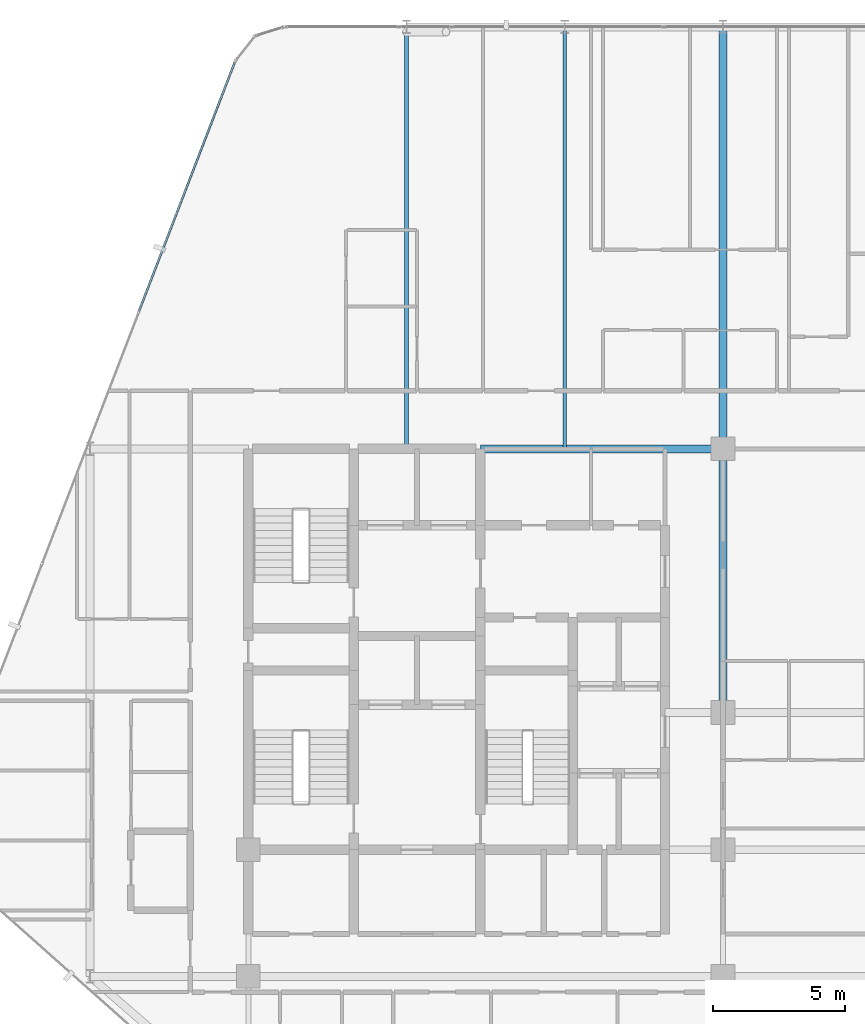
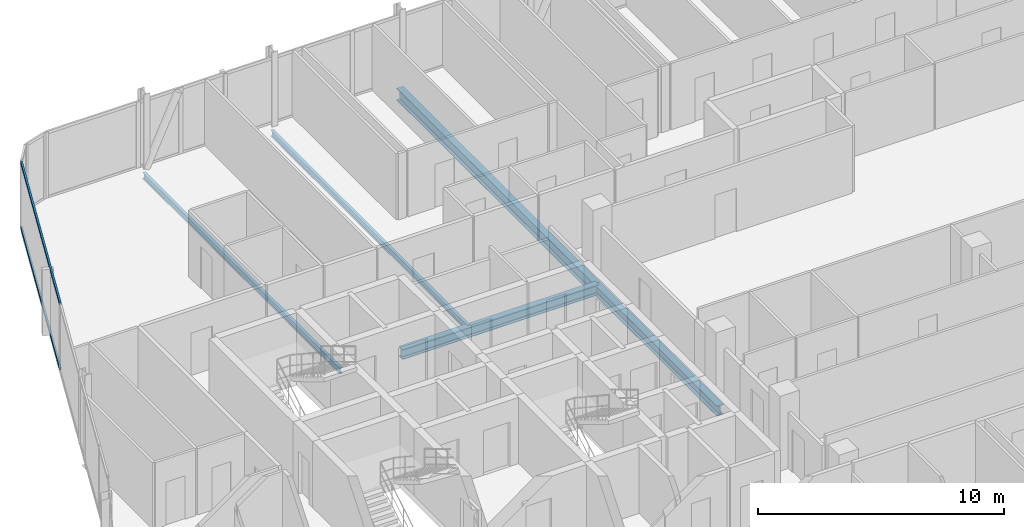
# One storey, part 16 of 31: 5 beams, 2 members, 1 element without a shape of its own.
"""IFC4 building model written with IfcOpenShell, lengths in metres."""

from ifc_helpers import new_model, si_unit, direction, frame, origin, origin_2d, place, context, subcontext, project, spatial, hollow_rectangle, i_section, extrude, material, layer, layer_set, material_profile, profile_set, type_object, element, aggregate, save


model = new_model("IFC4")

# Units and contexts
model_context = context("Model", 3, precision=1e-05, world=origin(), true_north=direction((0.0, 1.0)))
body_context = subcontext(model_context, "Body", "Model", "MODEL_VIEW")
ifc_project = project(units=[si_unit("LENGTHUNIT", "METRE"), si_unit("AREAUNIT", "SQUARE_METRE"), si_unit("VOLUMEUNIT", "CUBIC_METRE"), si_unit("PLANEANGLEUNIT", "RADIAN"), si_unit("MASSUNIT", "GRAM", prefix="KILO")], contexts=[model_context])

# Site, building, storey
site_placement = place(None, origin())
site = spatial("IfcSite", under=ifc_project, at=site_placement, CompositionType="ELEMENT")
building_placement = place(site_placement, origin())
building = spatial("IfcBuilding", under=site, at=building_placement, Name="Keshet Zoharim Tower", CompositionType="ELEMENT")
storey_placement = place(building_placement, frame((0.0, 0.0, 155.699951171875)))
storey = spatial("IfcBuildingStorey", under=building, at=storey_placement, Name="L38", CompositionType="ELEMENT", Elevation=155.699951171875)

# Beams
ifc_material_1 = material(Name="Steel S355", Category="steel")
ifc_material_profile_1 = material_profile(ifc_material_1, i_section(OverallWidth=0.14990234375, OverallDepth=0.300048828125, WebThickness=0.007080078125, FlangeThickness=0.0107421875, FilletRadius=0.014892578125, at=origin_2d()), Name="IPE300")
ifc_profile_set_1 = profile_set([ifc_material_profile_1], Name="Steel S355")
beam_type_1 = type_object("IfcBeamType", Name="BM-JST-IP300", PredefinedType="JOIST", material=ifc_profile_set_1)
for number, where, z_axis, x_axis, name in (
    (1, (21.0, 37.89990234375, -0.46484375), (0.0, 1.0, 0.0), (-1.0, 0.0, 0.0), "L38 Secondary Floor Joist J-001"),
    (2, (27.0, 37.89990234375, -0.46484375), (0.0, 1.0, 0.0), (-1.0, 0.0, 0.0), "L38 Secondary Floor Joist J-002"),
):
    element("IfcBeam", number, at=place(storey_placement, frame(where, z_axis=z_axis, x_axis=x_axis)), inside=storey, type_object=beam_type_1, Name=name, PredefinedType="JOIST", context=body_context, shape_type="SweptSolid", body=[
        extrude(i_section(OverallWidth=0.14990234375, OverallDepth=0.300048828125, WebThickness=0.007080078125, FlangeThickness=0.0107421875, FilletRadius=0.014892578125, at=origin_2d()), origin(), (0.0, 0.0, 1.0), 16.0),
    ])
ifc_material_profile_2 = material_profile(ifc_material_1, i_section(OverallWidth=0.300048828125, OverallDepth=0.60009765625, WebThickness=0.015380859375, FlangeThickness=0.030029296875, FilletRadius=0.027099609375, at=origin_2d()), Name="HEB600")
ifc_profile_set_2 = profile_set([ifc_material_profile_2], Name="Steel S355")
beam_type_2 = type_object("IfcBeamType", Name="BM-LNG-HB600", PredefinedType="BEAM", material=ifc_profile_set_2)
beam_1_placement = place(storey_placement, frame((33.0, 37.89990234375, -0.614990234375), z_axis=(0.0, 1.0, 0.0), x_axis=(-1.0, 0.0, 0.0)))
element("IfcBeam", 3, at=beam_1_placement, inside=storey, type_object=beam_type_2, Name="L38 Primary Girder Y-011", PredefinedType="BEAM", context=body_context, shape_type="SweptSolid", body=[
    extrude(i_section(OverallWidth=0.300048828125, OverallDepth=0.60009765625, WebThickness=0.015380859375, FlangeThickness=0.030029296875, FilletRadius=0.027099609375, at=origin_2d()), origin(), (0.0, 0.0, 1.0), 16.0),
])
ifc_material_profile_3 = material_profile(ifc_material_1, i_section(OverallWidth=0.300048828125, OverallDepth=0.5, WebThickness=0.014404296875, FlangeThickness=0.028076171875, FilletRadius=0.027099609375, at=origin_2d()), Name="HEB500")
ifc_profile_set_3 = profile_set([ifc_material_profile_3], Name="Steel S355")
beam_type_3 = type_object("IfcBeamType", Name="BM-MED-HB500", PredefinedType="BEAM", material=ifc_profile_set_3)
beam_2_placement = place(storey_placement, frame((23.800048828125, 37.89990234375, -0.56494140625), z_axis=(1.0, 0.0, 0.0), x_axis=(0.0, 1.0, 0.0)))
element("IfcBeam", 4, at=beam_2_placement, inside=storey, type_object=beam_type_3, Name="L38 Primary Girder X-019", PredefinedType="BEAM", context=body_context, shape_type="SweptSolid", body=[
    extrude(i_section(OverallWidth=0.300048828125, OverallDepth=0.5, WebThickness=0.014404296875, FlangeThickness=0.028076171875, FilletRadius=0.027099609375, at=origin_2d()), origin(), (0.0, 0.0, 1.0), 9.199951171875),
])
beam_3_placement = place(storey_placement, frame((33.0, 27.89990234375, -0.56494140625), z_axis=(0.0, 1.0, 0.0), x_axis=(-1.0, 0.0, 0.0)))
element("IfcBeam", 5, at=beam_3_placement, inside=storey, type_object=beam_type_3, Name="L38 Primary Girder Y-010", PredefinedType="BEAM", context=body_context, shape_type="SweptSolid", body=[
    extrude(i_section(OverallWidth=0.300048828125, OverallDepth=0.5, WebThickness=0.014404296875, FlangeThickness=0.028076171875, FilletRadius=0.027099609375, at=origin_2d()), origin(), (0.0, 0.0, 1.0), 10.0),
])

# Curtain wall, members
ifc_material_2 = material(Name="Aluminium 6063-T6", Category="aluminium")
ifc_layer = layer(ifc_material_2, 0.159912109375)
ifc_layer_set = layer_set([ifc_layer], Name="Aluminium 6063-T6")
curtain_wall_type = type_object("IfcCurtainWallType", Name="CW-SYS-03", PredefinedType="NOTDEFINED", material=ifc_layer_set)
curtain_wall_placement = place(storey_placement, origin())
curtain_wall = element("IfcCurtainWall", 6, at=curtain_wall_placement, inside=storey, type_object=curtain_wall_type, Name="L38 Unitised Curtain Wall 10", PredefinedType="NOTDEFINED")
ifc_material_profile_4 = material_profile(ifc_material_2, hollow_rectangle(XDim=0.080078125, YDim=0.139892578125, WallThickness=0.00390625, at=origin_2d()), Name="TRN-80x140")
ifc_profile_set_4 = profile_set([ifc_material_profile_4], Name="Aluminium 6063-T6")
member_type = type_object("IfcMemberType", Name="CWT-T14", PredefinedType="USERDEFINED", material=ifc_profile_set_4)
member_1_placement = place(storey_placement, frame((10.849609375, 43.10888671875, 0.03515625), z_axis=(0.358985546764, 0.933343118694, 0.0), x_axis=(-0.933343118694, 0.358985546764, 0.0)))
member_1 = element("IfcMember", 7, at=member_1_placement, type_object=member_type, Name="CW-03 transom 3.1", ObjectType="TRANSOM", PredefinedType="USERDEFINED", context=body_context, shape_type="SweptSolid", body=[
    extrude(hollow_rectangle(XDim=0.080078125, YDim=0.139892578125, WallThickness=0.00390625, at=origin_2d()), origin(), (0.0, 0.0, 1.0), 10.118408203125),
])
member_2_placement = place(storey_placement, frame((10.849609375, 43.10888671875, 3.2451171875), z_axis=(0.358985546764, 0.933343118694, 0.0), x_axis=(-0.933343118694, 0.358985546764, 0.0)))
member_2 = element("IfcMember", 8, at=member_2_placement, type_object=member_type, Name="CW-03 transom 3.2", ObjectType="TRANSOM", PredefinedType="USERDEFINED", context=body_context, shape_type="SweptSolid", body=[
    extrude(hollow_rectangle(XDim=0.080078125, YDim=0.139892578125, WallThickness=0.00390625, at=origin_2d()), origin(), (0.0, 0.0, 1.0), 10.118408203125),
])
aggregate(curtain_wall, [member_1, member_2])

save(model, "model.ifc")
